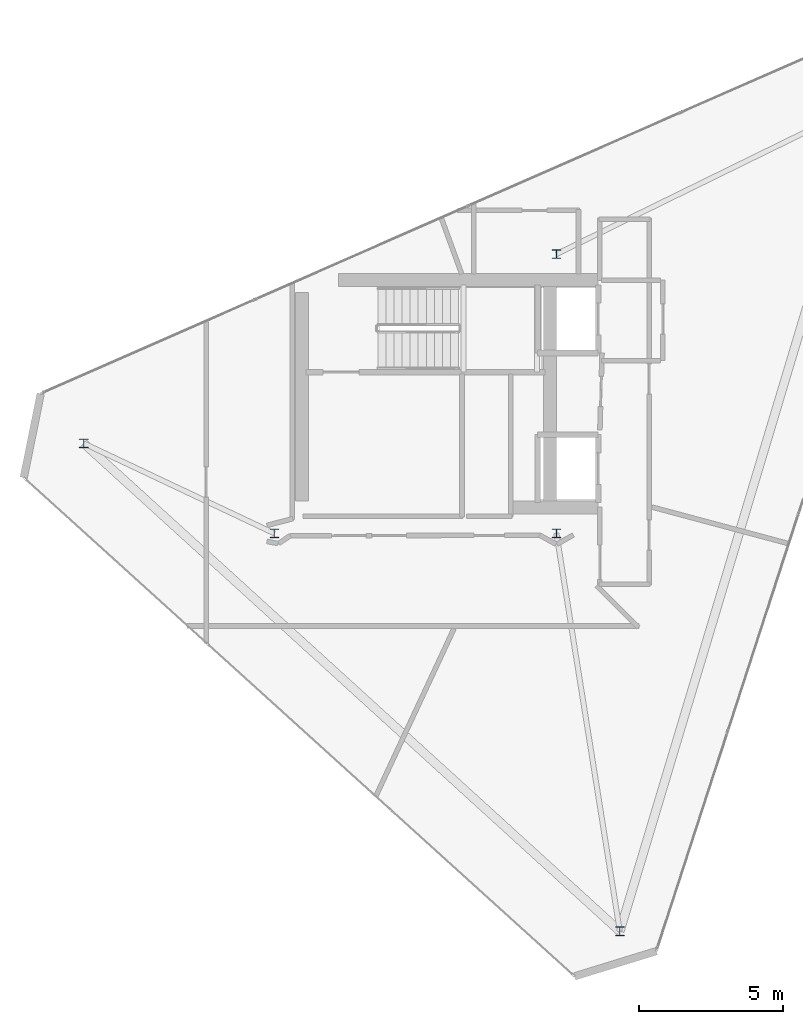
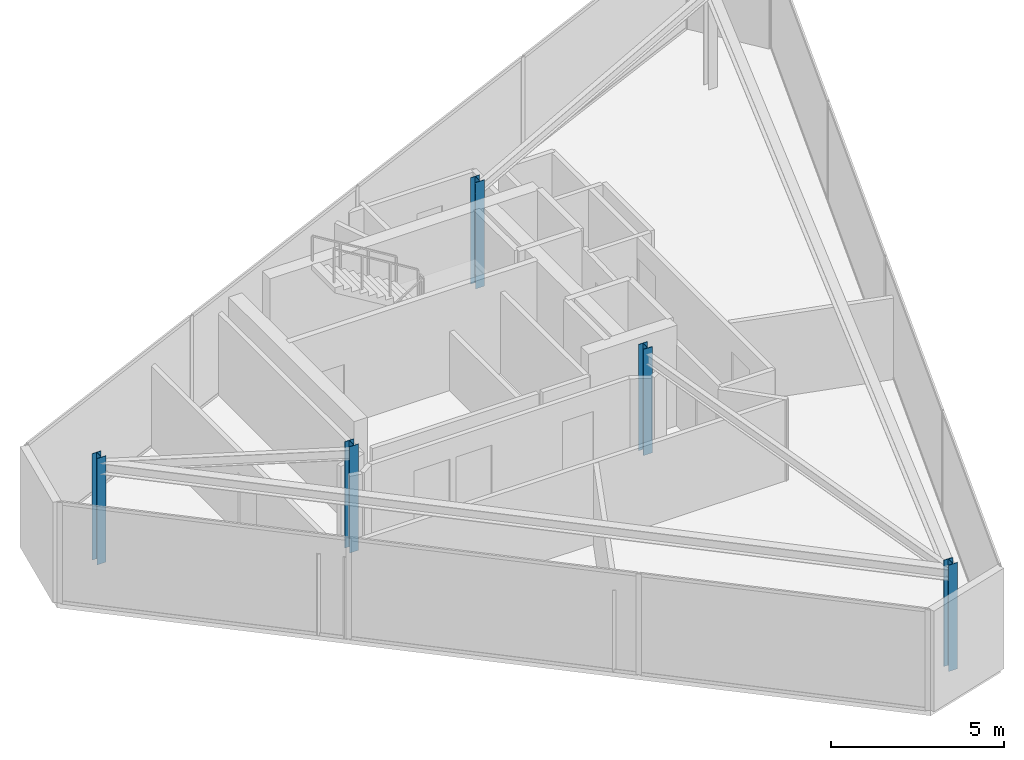
# One storey, part 1 of 14: 5 columns.
"""IFC4 building model written with IfcOpenShell, lengths in metres."""

from ifc_helpers import new_model, si_unit, direction, frame, origin, origin_2d, place, context, subcontext, project, spatial, i_section, extrude, material, material_profile, profile_set, type_object, element, save


model = new_model("IFC4")

# Units and contexts
model_context = context("Model", 3, precision=1e-05, world=origin(), true_north=direction((0.0, 1.0)))
body_context = subcontext(model_context, "Body", "Model", "MODEL_VIEW")
ifc_project = project(units=[si_unit("LENGTHUNIT", "METRE"), si_unit("AREAUNIT", "SQUARE_METRE"), si_unit("VOLUMEUNIT", "CUBIC_METRE"), si_unit("PLANEANGLEUNIT", "RADIAN"), si_unit("MASSUNIT", "GRAM", prefix="KILO")], contexts=[model_context])

# Site, building, storey
site_placement = place(None, origin())
site = spatial("IfcSite", under=ifc_project, at=site_placement, CompositionType="ELEMENT")
building_placement = place(site_placement, origin())
building = spatial("IfcBuilding", under=site, at=building_placement, Name="Qianvela Tower", CompositionType="ELEMENT")
storey_placement = place(building_placement, frame((0.0, 0.0, 371.300048828125)))
storey = spatial("IfcBuildingStorey", under=building, at=storey_placement, Name="L96", CompositionType="ELEMENT", Elevation=371.300048828125)

# Columns
ifc_material = material(Name="Steel Q355B", Category="steel")
ifc_material_profile = material_profile(ifc_material, i_section(OverallWidth=0.300048828125, OverallDepth=0.300048828125, WebThickness=0.010009765625, FlangeThickness=0.014892578125, at=origin_2d()), Name="HW300x300x10x15")
ifc_profile_set = profile_set([ifc_material_profile], Name="Steel Q355B")
column_type = type_object("IfcColumnType", Name="COL-HW-300", PredefinedType="COLUMN", material=ifc_profile_set)
for number, where, z_axis, x_axis, name in (
    (1, (28.60009765625, 23.85009765625, 0.0), (0.0, 0.0, 1.0), (1.0, 0.0, 0.0), "L96 Core Corner Mega-Column CC-SW"),
    (2, (38.39990234375, 33.550048828125, 0.0), (0.0, 0.0, 1.0), (1.0, 0.0, 0.0), "L96 Core Corner Mega-Column CC-NE"),
    (3, (38.39990234375, 23.85009765625, 0.0), (0.0, 0.0, 1.0), (1.0, 0.0, 0.0), "L96 Core Corner Mega-Column CC-SE"),
    (4, (40.60400390625, 10.027099609375, 0.0), (0.0, 0.0, 1.0), (1.0, 0.0, 0.0), "L96 Crown Frame Column CR2"),
    (5, (21.98095703125, 26.97607421875, 0.0), (0.0, 0.0, 1.0), (1.0, 0.0, 0.0), "L96 Crown Frame Column CR3"),
):
    element("IfcColumn", number, at=place(storey_placement, frame(where, z_axis=z_axis, x_axis=x_axis)), inside=storey, type_object=column_type, Name=name, PredefinedType="COLUMN", context=body_context, shape_type="SweptSolid", body=[
        extrude(i_section(OverallWidth=0.300048828125, OverallDepth=0.300048828125, WebThickness=0.010009765625, FlangeThickness=0.014892578125, at=origin_2d()), origin(), (0.0, 0.0, 1.0), 3.75),
    ])

save(model, "model.ifc")
